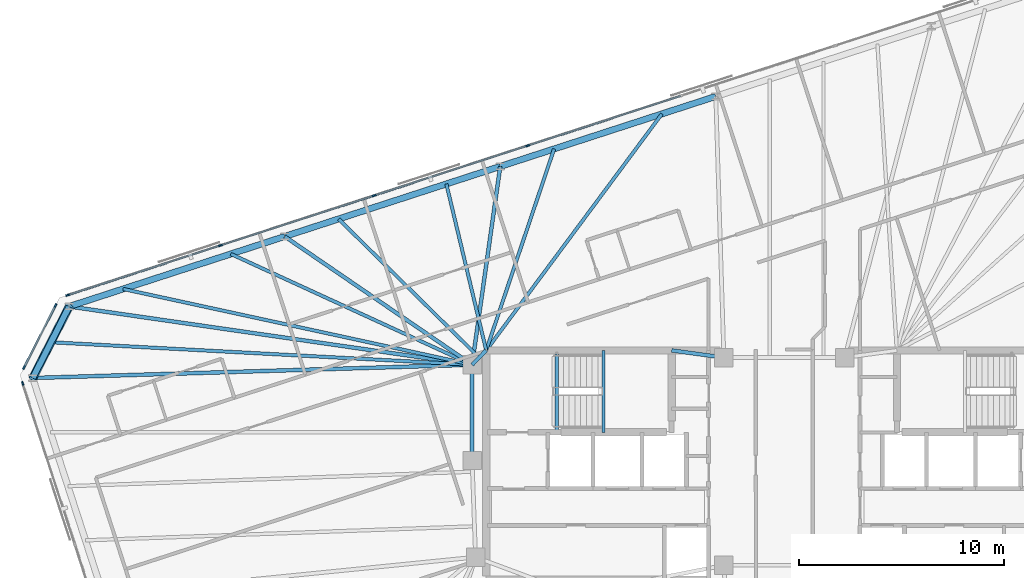
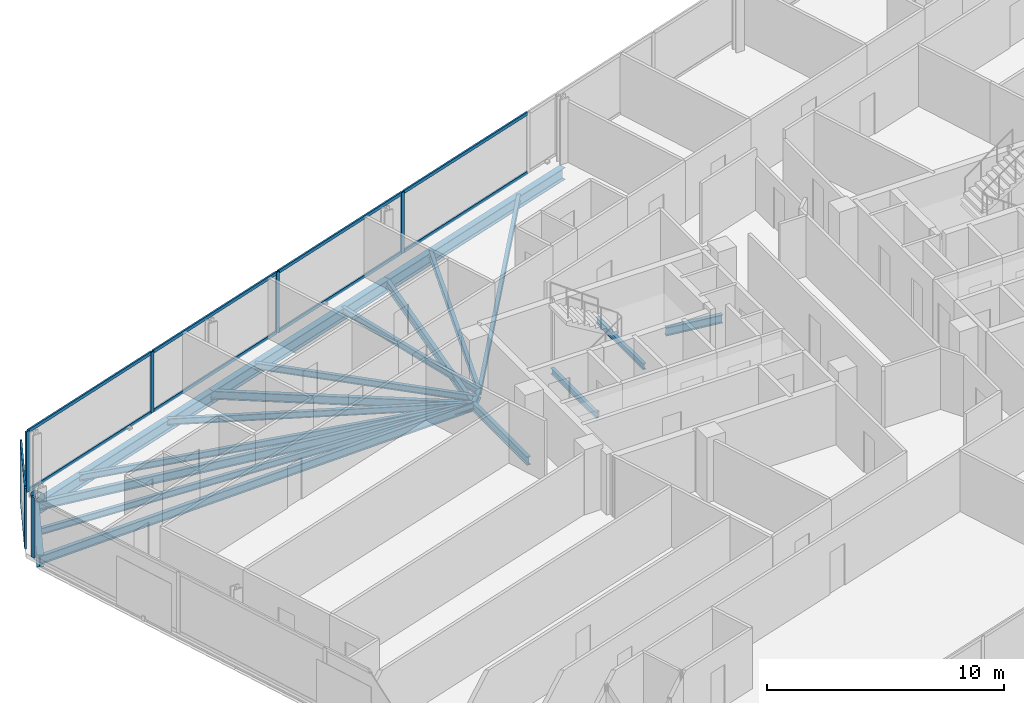
# One storey, part 9 of 19: 20 beams, 18 members, 3 elements without a shape of their own.
"""IFC4 building model written with IfcOpenShell, lengths in metres."""

from ifc_helpers import new_model, si_unit, direction, frame, origin, origin_2d, place, context, subcontext, project, spatial, rectangle, hollow_circle, i_section, extrude, material, material_profile, profile_set, type_object, element, aggregate, save


model = new_model("IFC4")

# Units and contexts
model_context = context("Model", 3, precision=1e-05, world=origin(), true_north=direction((0.0, 1.0)))
body_context = subcontext(model_context, "Body", "Model", "MODEL_VIEW")
ifc_project = project(units=[si_unit("LENGTHUNIT", "METRE"), si_unit("AREAUNIT", "SQUARE_METRE"), si_unit("VOLUMEUNIT", "CUBIC_METRE"), si_unit("PLANEANGLEUNIT", "RADIAN"), si_unit("MASSUNIT", "GRAM", prefix="KILO")], contexts=[model_context])

# Site, building, storey
site_placement = place(None, origin())
site = spatial("IfcSite", under=ifc_project, at=site_placement, CompositionType="ELEMENT")
building_placement = place(site_placement, origin())
building = spatial("IfcBuilding", under=site, at=building_placement, Name="Menara Jurai Vektor", CompositionType="ELEMENT")
storey_placement = place(building_placement, frame((0.0, 0.0, 210.89990234375)))
storey = spatial("IfcBuildingStorey", under=building, at=storey_placement, Name="L55", CompositionType="ELEMENT", Elevation=210.89990234375)

# Curtain wall, members
ifc_material_1 = material(Name="Anodised Pale Aluminium & Low-E Double Glazing", Category="aluminium")
curtain_wall_type = type_object("IfcCurtainWallType", Name="CW-BLK4", PredefinedType="NOTDEFINED", material=ifc_material_1)
curtain_wall_1_placement = place(storey_placement, origin())
curtain_wall_1 = element("IfcCurtainWall", 1, at=curtain_wall_1_placement, inside=storey, type_object=curtain_wall_type, Name="Unitised Curtain Wall L55 F05", PredefinedType="NOTDEFINED")
ifc_material_2 = material(Name="Anodised Pale Aluminium Mullion", Category="aluminium")
ifc_material_profile_1 = material_profile(ifc_material_2, rectangle(XDim=0.080078125, YDim=0.18994140625, at=origin_2d()), Name="ALU MUL 80x190")
ifc_profile_set_1 = profile_set([ifc_material_profile_1], Name="Anodised Pale Aluminium Mullion")
member_type_1 = type_object("IfcMemberType", Name="CW-BLK4-MUL", PredefinedType="MULLION", material=ifc_profile_set_1)
member_1_placement = place(storey_placement, frame((-12.532958984375, 15.601806640625, 0.0), z_axis=(0.0, 0.0, 1.0), x_axis=(0.309017344167, -0.951056402641, 0.0)))
member_1 = element("IfcMember", 2, at=member_1_placement, type_object=member_type_1, Name="CW-04 mullion 5", PredefinedType="MULLION", context=body_context, shape_type="SweptSolid", body=[
    extrude(rectangle(XDim=0.080078125, YDim=0.18994140625, at=origin_2d()), origin(), (0.0, 0.0, 1.0), 3.125),
])
member_2_placement = place(storey_placement, frame((-20.0380859375, 13.163330078125, 0.0), z_axis=(0.0, 0.0, 1.0), x_axis=(0.309017344167, -0.951056402641, 0.0)))
member_2 = element("IfcMember", 3, at=member_2_placement, type_object=member_type_1, Name="CW-04 mullion 6", PredefinedType="MULLION", context=body_context, shape_type="SweptSolid", body=[
    extrude(rectangle(XDim=0.080078125, YDim=0.18994140625, at=origin_2d()), origin(), (0.0, 0.0, 1.0), 3.125),
])
member_3_placement = place(storey_placement, frame((-27.543212890625, 10.724609375, 0.0), z_axis=(0.0, 0.0, 1.0), x_axis=(0.309017344167, -0.951056402641, 0.0)))
member_3 = element("IfcMember", 4, at=member_3_placement, type_object=member_type_1, Name="CW-04 mullion 7", PredefinedType="MULLION", context=body_context, shape_type="SweptSolid", body=[
    extrude(rectangle(XDim=0.080078125, YDim=0.18994140625, at=origin_2d()), origin(), (0.0, 0.0, 1.0), 3.125),
])
member_4_placement = place(storey_placement, frame((-35.010498046875, 8.29833984375, 0.0), z_axis=(0.0, 0.0, 1.0), x_axis=(0.309017344167, -0.951056402641, 0.0)))
member_4 = element("IfcMember", 5, at=member_4_placement, type_object=member_type_1, Name="CW-04 mullion 8", PredefinedType="MULLION", context=body_context, shape_type="SweptSolid", body=[
    extrude(rectangle(XDim=0.080078125, YDim=0.18994140625, at=origin_2d()), origin(), (0.0, 0.0, 1.0), 3.125),
])

curtain_wall_2_placement = place(storey_placement, origin())
curtain_wall_2 = element("IfcCurtainWall", 6, at=curtain_wall_2_placement, inside=storey, type_object=curtain_wall_type, Name="Unitised Curtain Wall L55 F06", PredefinedType="NOTDEFINED")
member_5_placement = place(storey_placement, frame((-35.6005859375, 7.79443359375, 0.0), z_axis=(0.0, 0.0, 1.0), x_axis=(0.89100750243, -0.453988579828, 0.0)))
member_5 = element("IfcMember", 7, at=member_5_placement, type_object=member_type_1, Name="CW-04 mullion 1", PredefinedType="MULLION", context=body_context, shape_type="SweptSolid", body=[
    extrude(rectangle(XDim=0.080078125, YDim=0.18994140625, at=origin_2d()), origin(), (0.0, 0.0, 1.0), 3.125),
])
member_6_placement = place(storey_placement, frame((-37.145263671875, 4.7626953125, 0.0), z_axis=(0.0, 0.0, 1.0), x_axis=(0.89100750243, -0.453988579828, 0.0)))
member_6 = element("IfcMember", 8, at=member_6_placement, type_object=member_type_1, Name="CW-04 mullion 2", PredefinedType="MULLION", context=body_context, shape_type="SweptSolid", body=[
    extrude(rectangle(XDim=0.080078125, YDim=0.18994140625, at=origin_2d()), origin(), (0.0, 0.0, 1.0), 3.125),
])

# Curtain wall, member
curtain_wall_3_placement = place(storey_placement, origin())
curtain_wall_3 = element("IfcCurtainWall", 9, at=curtain_wall_3_placement, inside=storey, type_object=curtain_wall_type, Name="Unitised Curtain Wall L55 F07", PredefinedType="NOTDEFINED")
member_7_placement = place(storey_placement, frame((-37.206298828125, 3.989013671875, 0.0), z_axis=(0.0, 0.0, 1.0), x_axis=(0.95105668295, 0.309016481464, 0.0)))
member_7 = element("IfcMember", 10, at=member_7_placement, type_object=member_type_1, Name="CW-04 mullion 1", PredefinedType="MULLION", context=body_context, shape_type="SweptSolid", body=[
    extrude(rectangle(XDim=0.080078125, YDim=0.18994140625, at=origin_2d()), origin(), (0.0, 0.0, 1.0), 3.125),
])
aggregate(curtain_wall_3, [member_7])

# Member
ifc_material_3 = material(Name="Anodised Pale Aluminium Transom", Category="aluminium")
ifc_material_profile_2 = material_profile(ifc_material_3, rectangle(XDim=0.080078125, YDim=0.1650390625, at=origin_2d()), Name="ALU TRN 80x165")
ifc_profile_set_2 = profile_set([ifc_material_profile_2], Name="Anodised Pale Aluminium Transom")
member_type_2 = type_object("IfcMemberType", Name="CW-BLK4-TRN", PredefinedType="USERDEFINED", material=ifc_profile_set_2)
member_8_placement = place(storey_placement, frame((-5.06591796875, 18.028076171875, 0.0400390625), z_axis=(-0.95105634578, -0.309017519167, 0.0), x_axis=(0.309017519167, -0.95105634578, 0.0)))
member_8 = element("IfcMember", 11, at=member_8_placement, type_object=member_type_2, Name="CW-04 transom 4.1", ObjectType="TRANSOM", PredefinedType="USERDEFINED", context=body_context, shape_type="SweptSolid", body=[
    extrude(rectangle(XDim=0.080078125, YDim=0.1650390625, at=origin_2d()), origin(), (0.0, 0.0, 1.0), 7.811279296875),
])

member_9_placement = place(storey_placement, frame((-5.06591796875, 18.028076171875, 3.085205078125), z_axis=(-0.95105634578, -0.309017519167, 0.0), x_axis=(0.309017519167, -0.95105634578, 0.0)))
member_9 = element("IfcMember", 12, at=member_9_placement, type_object=member_type_2, Name="CW-04 transom 4.2", ObjectType="TRANSOM", PredefinedType="USERDEFINED", context=body_context, shape_type="SweptSolid", body=[
    extrude(rectangle(XDim=0.080078125, YDim=0.1650390625, at=origin_2d()), origin(), (0.0, 0.0, 1.0), 7.811279296875),
])

member_10_placement = place(storey_placement, frame((-12.571044921875, 15.589599609375, 0.0400390625), z_axis=(-0.95104715984, -0.309045789099, 0.0), x_axis=(0.309045789099, -0.95104715984, 0.0)))
member_10 = element("IfcMember", 13, at=member_10_placement, type_object=member_type_2, Name="CW-04 transom 5.1", ObjectType="TRANSOM", PredefinedType="USERDEFINED", context=body_context, shape_type="SweptSolid", body=[
    extrude(rectangle(XDim=0.080078125, YDim=0.1650390625, at=origin_2d()), origin(), (0.0, 0.0, 1.0), 7.811279296875),
])

member_11_placement = place(storey_placement, frame((-12.571044921875, 15.589599609375, 3.085205078125), z_axis=(-0.95104715984, -0.309045789099, 0.0), x_axis=(0.309045789099, -0.95104715984, 0.0)))
member_11 = element("IfcMember", 14, at=member_11_placement, type_object=member_type_2, Name="CW-04 transom 5.2", ObjectType="TRANSOM", PredefinedType="USERDEFINED", context=body_context, shape_type="SweptSolid", body=[
    extrude(rectangle(XDim=0.080078125, YDim=0.1650390625, at=origin_2d()), origin(), (0.0, 0.0, 1.0), 7.811279296875),
])

member_12_placement = place(storey_placement, frame((-20.076171875, 13.15087890625, 0.0400390625), z_axis=(-0.951059330237, -0.309008333817, 0.0), x_axis=(0.309008333817, -0.951059330237, 0.0)))
member_12 = element("IfcMember", 15, at=member_12_placement, type_object=member_type_2, Name="CW-04 transom 6.1", ObjectType="TRANSOM", PredefinedType="USERDEFINED", context=body_context, shape_type="SweptSolid", body=[
    extrude(rectangle(XDim=0.080078125, YDim=0.1650390625, at=origin_2d()), origin(), (0.0, 0.0, 1.0), 7.8115234375),
])

member_13_placement = place(storey_placement, frame((-20.076171875, 13.15087890625, 3.085205078125), z_axis=(-0.951059330237, -0.309008333817, 0.0), x_axis=(0.309008333817, -0.951059330237, 0.0)))
member_13 = element("IfcMember", 16, at=member_13_placement, type_object=member_type_2, Name="CW-04 transom 6.2", ObjectType="TRANSOM", PredefinedType="USERDEFINED", context=body_context, shape_type="SweptSolid", body=[
    extrude(rectangle(XDim=0.080078125, YDim=0.1650390625, at=origin_2d()), origin(), (0.0, 0.0, 1.0), 7.8115234375),
])

member_14_placement = place(storey_placement, frame((-27.581298828125, 10.71240234375, 0.0400390625), z_axis=(-0.951052997543, -0.309027823771, 0.0), x_axis=(0.309027823771, -0.951052997543, 0.0)))
member_14 = element("IfcMember", 17, at=member_14_placement, type_object=member_type_2, Name="CW-04 transom 7.1", ObjectType="TRANSOM", PredefinedType="USERDEFINED", context=body_context, shape_type="SweptSolid", body=[
    extrude(rectangle(XDim=0.080078125, YDim=0.1650390625, at=origin_2d()), origin(), (0.0, 0.0, 1.0), 7.771484375),
])

member_15_placement = place(storey_placement, frame((-27.581298828125, 10.71240234375, 3.085205078125), z_axis=(-0.951052997543, -0.309027823771, 0.0), x_axis=(0.309027823771, -0.951052997543, 0.0)))
member_15 = element("IfcMember", 18, at=member_15_placement, type_object=member_type_2, Name="CW-04 transom 7.2", ObjectType="TRANSOM", PredefinedType="USERDEFINED", context=body_context, shape_type="SweptSolid", body=[
    extrude(rectangle(XDim=0.080078125, YDim=0.1650390625, at=origin_2d()), origin(), (0.0, 0.0, 1.0), 7.771484375),
])

aggregate(curtain_wall_1, [member_1, member_2, member_3, member_4, member_8, member_9, member_10, member_11, member_12, member_13, member_14, member_15])

member_16_placement = place(storey_placement, frame((-35.61865234375, 7.7587890625, 0.0400390625), z_axis=(-0.454019339544, -0.890991828986, 0.0), x_axis=(0.890991828986, -0.454019339544, 0.0)))
member_16 = element("IfcMember", 19, at=member_16_placement, type_object=member_type_2, Name="CW-04 transom 1.1", ObjectType="TRANSOM", PredefinedType="USERDEFINED", context=body_context, shape_type="SweptSolid", body=[
    extrude(rectangle(XDim=0.080078125, YDim=0.1650390625, at=origin_2d()), origin(), (0.0, 0.0, 1.0), 3.32275390625),
])

member_17_placement = place(storey_placement, frame((-35.61865234375, 7.7587890625, 3.085205078125), z_axis=(-0.454019339544, -0.890991828986, 0.0), x_axis=(0.890991828986, -0.454019339544, 0.0)))
member_17 = element("IfcMember", 20, at=member_17_placement, type_object=member_type_2, Name="CW-04 transom 1.2", ObjectType="TRANSOM", PredefinedType="USERDEFINED", context=body_context, shape_type="SweptSolid", body=[
    extrude(rectangle(XDim=0.080078125, YDim=0.1650390625, at=origin_2d()), origin(), (0.0, 0.0, 1.0), 3.32275390625),
])

aggregate(curtain_wall_2, [member_5, member_6, member_16, member_17])

# Beams
ifc_material_4 = material(Name="Steel S355", Category="steel")
ifc_material_profile_3 = material_profile(ifc_material_4, i_section(OverallWidth=0.18505859375, OverallDepth=0.429931640625, WebThickness=0.010986328125, FlangeThickness=0.01806640625, at=origin_2d()), Name="PG 430x185x76")
ifc_profile_set_3 = profile_set([ifc_material_profile_3], Name="Steel S355")
beam_type_1 = type_object("IfcBeamType", Name="STR-BM-430", PredefinedType="BEAM", material=ifc_profile_set_3)
beam_1_placement = place(storey_placement, frame((-15.25, 4.89990234375, -0.43994140625), z_axis=(0.701871936926, 0.712303154672, 0.0), x_axis=(-0.712303154672, 0.701871936926, 0.0)))
element("IfcBeam", 21, at=beam_1_placement, inside=storey, type_object=beam_type_1, Name="Core Ring Header Girder L55-CHW-N1", PredefinedType="BEAM", context=body_context, shape_type="SweptSolid", body=[
    extrude(i_section(OverallWidth=0.18505859375, OverallDepth=0.429931640625, WebThickness=0.010986328125, FlangeThickness=0.01806640625, at=origin_2d()), origin(), (0.0, 0.0, 1.0), 0.98291015625),
])
beam_2_placement = place(storey_placement, frame((-5.5, 5.60009765625, -0.43994140625), z_axis=(0.990706818608, -0.136014703483, 0.0), x_axis=(0.136014703483, 0.990706818608, 0.0)))
element("IfcBeam", 22, at=beam_2_placement, inside=storey, type_object=beam_type_1, Name="Core Ring Header Girder L55-CHW-N2", PredefinedType="BEAM", context=body_context, shape_type="SweptSolid", body=[
    extrude(i_section(OverallWidth=0.18505859375, OverallDepth=0.429931640625, WebThickness=0.010986328125, FlangeThickness=0.01806640625, at=origin_2d()), origin(), (0.0, 0.0, 1.0), 2.573974609375),
])
beam_3_placement = place(storey_placement, frame((-15.25, 0.219970703125, -0.43994140625), z_axis=(0.0, 1.0, 0.0), x_axis=(-1.0, 0.0, 0.0)))
element("IfcBeam", 23, at=beam_3_placement, inside=storey, type_object=beam_type_1, Name="Core Ring Header Girder L55-CHW-W1", PredefinedType="BEAM", context=body_context, shape_type="SweptSolid", body=[
    extrude(i_section(OverallWidth=0.18505859375, OverallDepth=0.429931640625, WebThickness=0.010986328125, FlangeThickness=0.01806640625, at=origin_2d()), origin(), (0.0, 0.0, 1.0), 4.679931640625),
])
beam_4_placement = place(storey_placement, frame((-13.875, 14.58740234375, -0.43994140625), z_axis=(-0.140527035582, -0.990076841599, 0.0), x_axis=(0.990076841599, -0.140527035582, 0.0)))
element("IfcBeam", 24, at=beam_4_placement, inside=storey, type_object=beam_type_1, Name="Radial Floor Girder L55-N4", PredefinedType="BEAM", context=body_context, shape_type="SweptSolid", body=[
    extrude(i_section(OverallWidth=0.18505859375, OverallDepth=0.429931640625, WebThickness=0.010986328125, FlangeThickness=0.01806640625, at=origin_2d()), origin(), (0.0, 0.0, 1.0), 9.78466796875),
])
beam_5_placement = place(storey_placement, frame((-24.404296875, 11.166259765625, -0.43994140625), z_axis=(0.825185786768, -0.564861414257, 0.0), x_axis=(0.564861414257, 0.825185786768, 0.0)))
element("IfcBeam", 25, at=beam_5_placement, inside=storey, type_object=beam_type_1, Name="Radial Floor Girder L55-N5", PredefinedType="BEAM", context=body_context, shape_type="SweptSolid", body=[
    extrude(i_section(OverallWidth=0.18505859375, OverallDepth=0.429931640625, WebThickness=0.010986328125, FlangeThickness=0.01806640625, at=origin_2d()), origin(), (0.0, 0.0, 1.0), 11.093505859375),
])
beam_6_placement = place(storey_placement, frame((-34.93359375, 7.7451171875, -0.43994140625), z_axis=(0.989713916117, -0.14306070126, 0.0), x_axis=(0.14306070126, 0.989713916117, 0.0)))
element("IfcBeam", 26, at=beam_6_placement, inside=storey, type_object=beam_type_1, Name="Radial Floor Girder L55-N6", PredefinedType="BEAM", context=body_context, shape_type="SweptSolid", body=[
    extrude(i_section(OverallWidth=0.18505859375, OverallDepth=0.429931640625, WebThickness=0.010986328125, FlangeThickness=0.01806640625, at=origin_2d()), origin(), (0.0, 0.0, 1.0), 19.88818359375),
])
beam_7_placement = place(storey_placement, frame((-36.71337890625, 4.251953125, -0.43994140625), z_axis=(0.999544635638, 0.030174846589, 0.0), x_axis=(-0.030174846589, 0.999544635638, 0.0)))
element("IfcBeam", 27, at=beam_7_placement, inside=storey, type_object=beam_type_1, Name="Radial Floor Girder L55-W1", PredefinedType="BEAM", context=body_context, shape_type="SweptSolid", body=[
    extrude(i_section(OverallWidth=0.18505859375, OverallDepth=0.429931640625, WebThickness=0.010986328125, FlangeThickness=0.01806640625, at=origin_2d()), origin(), (0.0, 0.0, 1.0), 21.47314453125),
])

# Member
ifc_material_5 = material(Name="Steel S460", Category="steel")
ifc_material_profile_4 = material_profile(ifc_material_5, hollow_circle(Radius=0.203125, WallThickness=0.01611328125, at=origin_2d()), Name="CHS 406.4x16")
ifc_profile_set_4 = profile_set([ifc_material_profile_4], Name="Steel S460")
member_type_3 = type_object("IfcMemberType", Name="STR-BR-406", PredefinedType="BRACE", material=ifc_profile_set_4)
member_18_placement = place(storey_placement, frame((-34.93359375, 7.7451171875, 0.150146484375), z_axis=(-0.377225079071, -0.740375367811, 0.556368182465), x_axis=(0.891013832566, -0.453976155955, 0.0)))
element("IfcMember", 28, at=member_18_placement, inside=storey, type_object=member_type_3, Name="Exoskeleton Corner Brace L55-3", PredefinedType="BRACE", context=body_context, shape_type="SweptSolid", body=[
    extrude(hollow_circle(Radius=0.203125, WallThickness=0.01611328125, at=origin_2d()), origin(), (0.0, 0.0, 1.0), 4.718017578125),
])

# Beams
ifc_material_profile_5 = material_profile(ifc_material_4, i_section(OverallWidth=0.1650390625, OverallDepth=0.330078125, WebThickness=0.009033203125, FlangeThickness=0.013916015625, at=origin_2d()), Name="PG 330x165x46")
ifc_profile_set_5 = profile_set([ifc_material_profile_5], Name="Steel S355")
beam_type_2 = type_object("IfcBeamType", Name="STR-JS-330", PredefinedType="JOIST", material=ifc_profile_set_5)
beam_8_placement = place(storey_placement, frame((-5.97802734375, 17.1533203125, -0.389892578125), z_axis=(-0.59630776033, -0.802755912448, 0.0), x_axis=(0.802755912448, -0.59630776033, 0.0)))
element("IfcBeam", 29, at=beam_8_placement, inside=storey, type_object=beam_type_2, Name="Radial Secondary Floor Joist L55-JS21", PredefinedType="JOIST", context=body_context, shape_type="SweptSolid", body=[
    extrude(i_section(OverallWidth=0.1650390625, OverallDepth=0.330078125, WebThickness=0.009033203125, FlangeThickness=0.013916015625, at=origin_2d()), origin(), (0.0, 0.0, 1.0), 14.391845703125),
])
beam_9_placement = place(storey_placement, frame((-11.24267578125, 15.44287109375, -0.389892578125), z_axis=(-0.319385076217, -0.94762501713, 0.0), x_axis=(0.94762501713, -0.319385076217, 0.0)))
element("IfcBeam", 30, at=beam_9_placement, inside=storey, type_object=beam_type_2, Name="Radial Secondary Floor Joist L55-JS22", PredefinedType="JOIST", context=body_context, shape_type="SweptSolid", body=[
    extrude(i_section(OverallWidth=0.1650390625, OverallDepth=0.330078125, WebThickness=0.009033203125, FlangeThickness=0.013916015625, at=origin_2d()), origin(), (0.0, 0.0, 1.0), 10.38671875),
])
beam_10_placement = place(storey_placement, frame((-16.50732421875, 13.732177734375, -0.389892578125), z_axis=(0.23287158907, -0.972507492518, 0.0), x_axis=(0.972507492518, 0.23287158907, 0.0)))
element("IfcBeam", 31, at=beam_10_placement, inside=storey, type_object=beam_type_2, Name="Radial Secondary Floor Joist L55-JS23", PredefinedType="JOIST", context=body_context, shape_type="SweptSolid", body=[
    extrude(i_section(OverallWidth=0.1650390625, OverallDepth=0.330078125, WebThickness=0.009033203125, FlangeThickness=0.013916015625, at=origin_2d()), origin(), (0.0, 0.0, 1.0), 8.362060546875),
])
beam_11_placement = place(storey_placement, frame((-21.77197265625, 12.021484375, -0.389892578125), z_axis=(0.7121893722, -0.701987391714, 0.0), x_axis=(0.701987391714, 0.7121893722, 0.0)))
element("IfcBeam", 32, at=beam_11_placement, inside=storey, type_object=beam_type_2, Name="Radial Secondary Floor Joist L55-JS24", PredefinedType="JOIST", context=body_context, shape_type="SweptSolid", body=[
    extrude(i_section(OverallWidth=0.1650390625, OverallDepth=0.330078125, WebThickness=0.009033203125, FlangeThickness=0.013916015625, at=origin_2d()), origin(), (0.0, 0.0, 1.0), 9.64404296875),
])
beam_12_placement = place(storey_placement, frame((-27.03662109375, 10.31103515625, -0.389892578125), z_axis=(0.908803804095, -0.417223735738, 0.0), x_axis=(0.417223735738, 0.908803804095, 0.0)))
element("IfcBeam", 33, at=beam_12_placement, inside=storey, type_object=beam_type_2, Name="Radial Secondary Floor Joist L55-JS25", PredefinedType="JOIST", context=body_context, shape_type="SweptSolid", body=[
    extrude(i_section(OverallWidth=0.1650390625, OverallDepth=0.330078125, WebThickness=0.009033203125, FlangeThickness=0.013916015625, at=origin_2d()), origin(), (0.0, 0.0, 1.0), 12.969482421875),
])
beam_13_placement = place(storey_placement, frame((-32.30126953125, 8.600341796875, -0.389892578125), z_axis=(0.977251946396, -0.212081666498, 0.0), x_axis=(0.212081666498, 0.977251946396, 0.0)))
element("IfcBeam", 34, at=beam_13_placement, inside=storey, type_object=beam_type_2, Name="Radial Secondary Floor Joist L55-JS26", PredefinedType="JOIST", context=body_context, shape_type="SweptSolid", body=[
    extrude(i_section(OverallWidth=0.1650390625, OverallDepth=0.330078125, WebThickness=0.009033203125, FlangeThickness=0.013916015625, at=origin_2d()), origin(), (0.0, 0.0, 1.0), 17.4482421875),
])
beam_14_placement = place(storey_placement, frame((-35.823486328125, 5.99853515625, -0.389892578125), z_axis=(0.998577239708, -0.053324444086, 0.0), x_axis=(0.053324444086, 0.998577239708, 0.0)))
element("IfcBeam", 35, at=beam_14_placement, inside=storey, type_object=beam_type_2, Name="Radial Secondary Floor Joist L55-JS27", PredefinedType="JOIST", context=body_context, shape_type="SweptSolid", body=[
    extrude(i_section(OverallWidth=0.1650390625, OverallDepth=0.330078125, WebThickness=0.009033203125, FlangeThickness=0.013916015625, at=origin_2d()), origin(), (0.0, 0.0, 1.0), 20.602783203125),
])
ifc_material_profile_6 = material_profile(ifc_material_4, i_section(OverallWidth=0.1650390625, OverallDepth=0.302978515625, WebThickness=0.006103515625, FlangeThickness=0.010009765625, FilletRadius=0.009033203125, at=origin_2d()), Name="UKB 305x165x40")
ifc_profile_set_6 = profile_set([ifc_material_profile_6], Name="Steel S355")
beam_type_3 = type_object("IfcBeamType", Name="STR-LN-305", PredefinedType="LINTEL", material=ifc_profile_set_6)
beam_15_placement = place(storey_placement, frame((-11.1201171875, 1.60009765625, -0.37646484375), z_axis=(0.0, 1.0, 0.0), x_axis=(-1.0, 0.0, 0.0)))
element("IfcBeam", 36, at=beam_15_placement, inside=storey, type_object=beam_type_3, Name="Stair Well Floor Trimmer ST1 L55", PredefinedType="LINTEL", context=body_context, shape_type="SweptSolid", body=[
    extrude(i_section(OverallWidth=0.1650390625, OverallDepth=0.302978515625, WebThickness=0.006103515625, FlangeThickness=0.010009765625, FilletRadius=0.009033203125, at=origin_2d()), origin(), (0.0, 0.0, 1.0), 3.81982421875),
])
beam_16_placement = place(storey_placement, frame((-8.830078125, 1.60009765625, 1.323486328125), z_axis=(0.0, 1.0, 0.0), x_axis=(-1.0, 0.0, 0.0)))
element("IfcBeam", 37, at=beam_16_placement, inside=storey, type_object=beam_type_3, Name="Stair Half-Landing Nosing Trimmer ST1-1 L55", PredefinedType="LINTEL", context=body_context, shape_type="SweptSolid", body=[
    extrude(i_section(OverallWidth=0.1650390625, OverallDepth=0.302978515625, WebThickness=0.006103515625, FlangeThickness=0.010009765625, FilletRadius=0.009033203125, at=origin_2d()), origin(), (0.0, 0.0, 1.0), 4.0),
])
ifc_material_profile_7 = material_profile(ifc_material_4, i_section(OverallWidth=0.306884765625, OverallDepth=0.6201171875, WebThickness=0.013916015625, FlangeThickness=0.02392578125, FilletRadius=0.01708984375, at=origin_2d()), Name="UKB 610x305x179")
ifc_profile_set_7 = profile_set([ifc_material_profile_7], Name="Steel S355")
beam_type_4 = type_object("IfcBeamType", Name="STR-SP-610", PredefinedType="SPANDREL", material=ifc_profile_set_7)
for number, where, z_axis, x_axis, name in (
    (38, (-3.345703125, 18.008544921875, -0.534912109375), (-0.951057401967, -0.309014268544, 0.0), (0.309014268544, -0.951057401967, 0.0), "Exoskeleton Spandrel Beam L55-13"),
    (39, (-13.875, 14.58740234375, -0.534912109375), (-0.951057401967, -0.309014268544, 0.0), (0.309014268544, -0.951057401967, 0.0), "Exoskeleton Spandrel Beam L55-14"),
    (40, (-24.404296875, 11.166259765625, -0.534912109375), (-0.951057401967, -0.309014268544, 0.0), (0.309014268544, -0.951057401967, 0.0), "Exoskeleton Spandrel Beam L55-15"),
):
    element("IfcBeam", number, at=place(storey_placement, frame(where, z_axis=z_axis, x_axis=x_axis)), inside=storey, type_object=beam_type_4, Name=name, PredefinedType="SPANDREL", context=body_context, shape_type="SweptSolid", body=[
        extrude(i_section(OverallWidth=0.306884765625, OverallDepth=0.6201171875, WebThickness=0.013916015625, FlangeThickness=0.02392578125, FilletRadius=0.01708984375, at=origin_2d()), origin(), (0.0, 0.0, 1.0), 11.071044921875),
    ])
beam_17_placement = place(storey_placement, frame((-34.93359375, 7.7451171875, -0.534912109375), z_axis=(-0.453976155955, -0.891013832566, 0.0), x_axis=(0.891013832566, -0.453976155955, 0.0)))
element("IfcBeam", 41, at=beam_17_placement, inside=storey, type_object=beam_type_4, Name="Exoskeleton Spandrel Beam L55-16", PredefinedType="SPANDREL", context=body_context, shape_type="SweptSolid", body=[
    extrude(i_section(OverallWidth=0.306884765625, OverallDepth=0.6201171875, WebThickness=0.013916015625, FlangeThickness=0.02392578125, FilletRadius=0.01708984375, at=origin_2d()), origin(), (0.0, 0.0, 1.0), 3.92041015625),
])

save(model, "model.ifc")
